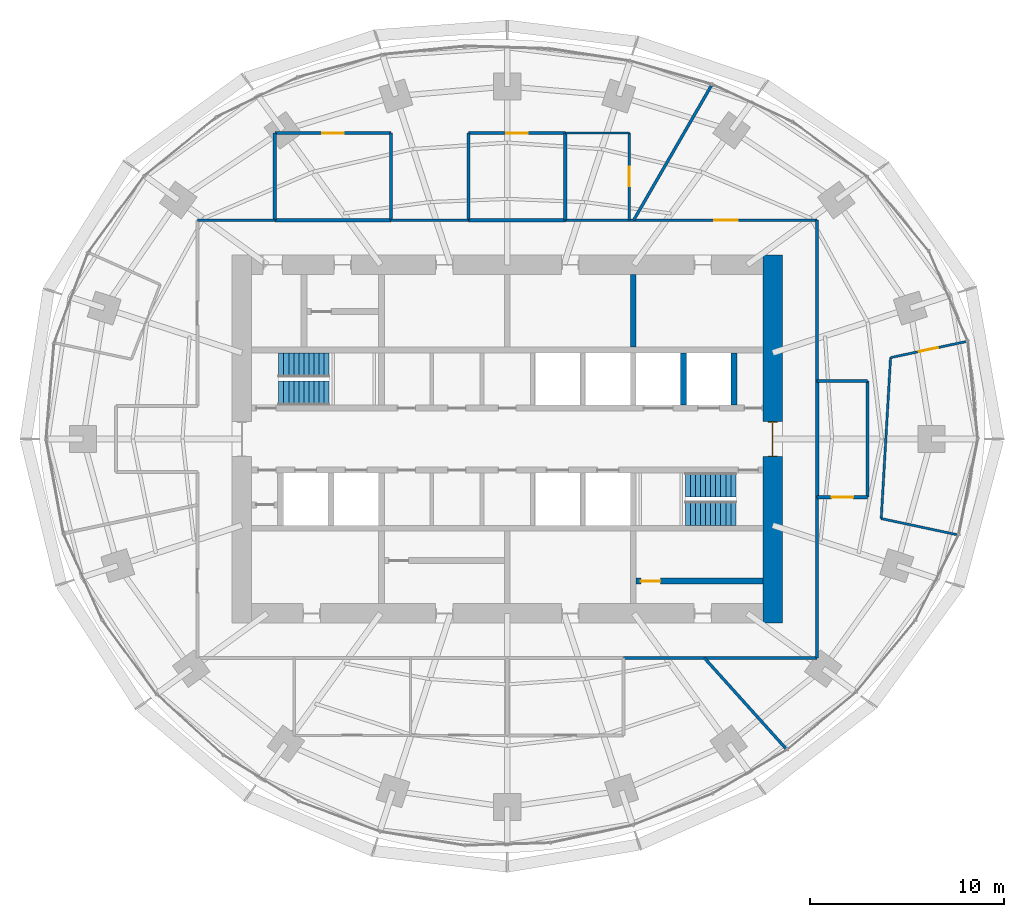
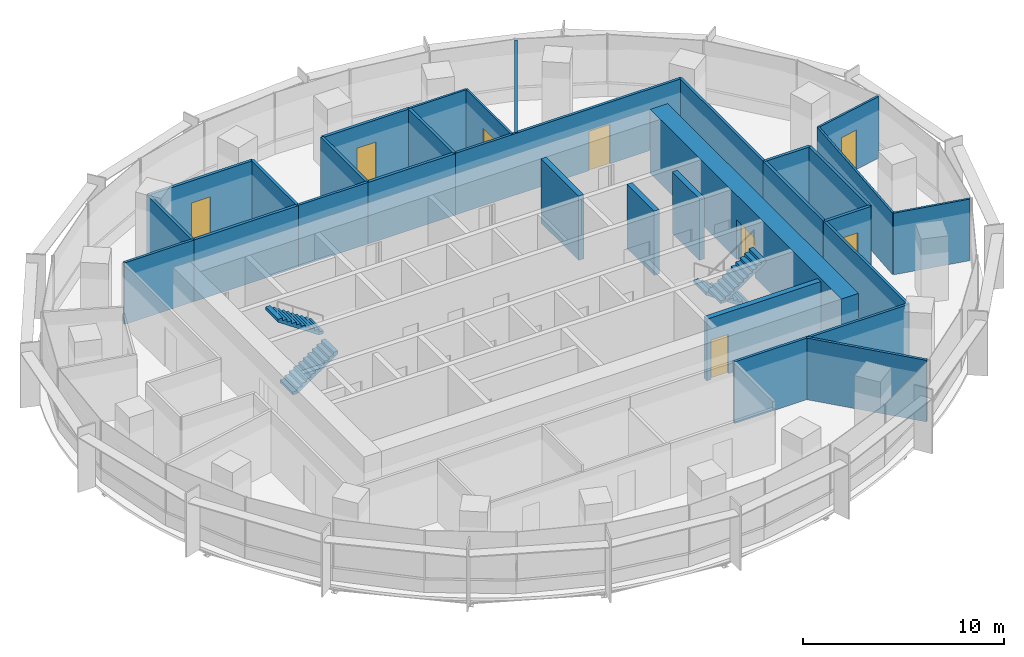
# One storey, part 12 of 14: 30 walls, 8 doors, 4 stair flights, 8 openings, 2 elements without a shape of their own.
"""IFC4 building model written with IfcOpenShell, lengths in metres."""

from ifc_helpers import new_model, si_unit, direction, frame, frame_2d, origin, place, context, subcontext, project, spatial, polyline, rectangle, outline, extrude, material, layer, layer_set, type_object, element, fill, aggregate, save


model = new_model("IFC4")

# Units and contexts
model_context = context("Model", 3, precision=1e-05, world=origin(), true_north=direction((0.0, 1.0)))
body_context = subcontext(model_context, "Body", "Model", "MODEL_VIEW")
ifc_project = project(units=[si_unit("LENGTHUNIT", "METRE"), si_unit("AREAUNIT", "SQUARE_METRE"), si_unit("VOLUMEUNIT", "CUBIC_METRE"), si_unit("PLANEANGLEUNIT", "RADIAN"), si_unit("MASSUNIT", "GRAM", prefix="KILO")], contexts=[model_context])

# Site, building, storey
site_placement = place(None, origin())
site = spatial("IfcSite", under=ifc_project, at=site_placement, CompositionType="ELEMENT")
building_placement = place(site_placement, origin())
building = spatial("IfcBuilding", under=site, at=building_placement, Name="Marramba Exchange Tower", CompositionType="ELEMENT")
storey_placement = place(building_placement, frame((0.0, 0.0, 195.5)))
storey = spatial("IfcBuildingStorey", under=building, at=storey_placement, Name="L47", CompositionType="ELEMENT", Elevation=195.5)

# Wall, opening, door
ifc_material_1 = material(Name="Plasterboard on staggered double steel studs, acoustic insulation", Category="steel")
ifc_layer_1 = layer(ifc_material_1, 0.169921875)
ifc_layer_set_1 = layer_set([ifc_layer_1], Name="Acoustic partition 170")
wall_type_1 = type_object("IfcWallType", Name="Acoustic partition 170", PredefinedType="PARTITIONING", material=ifc_layer_set_1)
wall_1_placement = place(storey_placement, frame((16.0, -3.0, 0.0), z_axis=(0.0, 0.0, 1.0), x_axis=(1.0, 0.0, 0.0)))
wall_1 = element("IfcWall", 1, at=wall_1_placement, inside=storey, type_object=wall_type_1, Name="Acoustic partition L47 16", PredefinedType="PARTITIONING", context=body_context, shape_type="SweptSolid", body=[
    extrude(rectangle(XDim=2.60009765625, YDim=0.169921875, at=frame_2d((1.300048828125, 0.0))), origin(), (0.0, 0.0, 1.0), 3.739990234375),
])
opening_1_placement = place(wall_1_placement, frame((0.75, 0.0, 0.0)))
opening_1 = element("IfcOpeningElement", 2, at=opening_1_placement, cuts=wall_1, Name="Opening D15", PredefinedType="OPENING", context=body_context, shape_type="SweptSolid", body=[
    extrude(rectangle(XDim=1.10009765625, YDim=2.39990234375, at=frame_2d((0.550048828125, 1.199951171875))), frame((0.0, 0.094970703125, 0.0), z_axis=(0.0, -1.0, 0.0), x_axis=(1.0, 0.0, 0.0)), (0.0, 0.0, 1.0), 0.18994140625),
])
ifc_material_2 = material(Name="Timber door", Category="wood")
door_type_1 = type_object("IfcDoorType", Name="Glazed meeting room door 1100x2400", OperationType="SINGLE_SWING_LEFT", PredefinedType="DOOR", material=ifc_material_2)
door_1_placement = place(opening_1_placement, origin())
door_1 = element("IfcDoor", 3, at=door_1_placement, inside=storey, type_object=door_type_1, Name="D15 Meeting Room 1 L47", OperationType="SINGLE_SWING_RIGHT", OverallHeight=2.39990234375, OverallWidth=1.10009765625, PredefinedType="DOOR", context=body_context, shape_type="SweptSolid", body=[
    extrude(rectangle(XDim=1.10009765625, YDim=2.39990234375, at=frame_2d((0.550048828125, 1.199951171875))), frame((0.0, 0.02490234375, 0.0), z_axis=(0.0, -1.0, 0.0), x_axis=(1.0, 0.0, 0.0)), (0.0, 0.0, 1.0), 0.050048828125),
])
fill(opening_1, door_1)

# Walls
for number, where, z_axis, x_axis, name in (
    (4, (16.0, 3.0, 0.0), (0.0, 0.0, 1.0), (0.0, -1.0, 0.0), "Acoustic partition L47 17"),
    (5, (18.60009765625, -3.0, 0.0), (0.0, 0.0, 1.0), (0.0, 1.0, 0.0), "Acoustic partition L47 18"),
):
    element("IfcWall", number, at=place(storey_placement, frame(where, z_axis=z_axis, x_axis=x_axis)), inside=storey, type_object=wall_type_1, Name=name, PredefinedType="PARTITIONING", context=body_context, shape_type="SweptSolid", body=[
        extrude(rectangle(XDim=6.0, YDim=0.169921875, at=frame_2d((3.0, 0.0))), origin(), (0.0, 0.0, 1.0), 3.739990234375),
    ])
wall_2_placement = place(storey_placement, frame((18.60009765625, 3.0, 0.0), z_axis=(0.0, 0.0, 1.0), x_axis=(-1.0, 0.0, 0.0)))
element("IfcWall", 6, at=wall_2_placement, inside=storey, type_object=wall_type_1, Name="Acoustic partition L47 20", PredefinedType="PARTITIONING", context=body_context, shape_type="SweptSolid", body=[
    extrude(rectangle(XDim=2.60009765625, YDim=0.169921875, at=frame_2d((1.300048828125, 0.0))), origin(), (0.0, 0.0, 1.0), 3.739990234375),
])
wall_3_placement = place(storey_placement, frame((3.0, 15.800048828125, 0.0), z_axis=(0.0, 0.0, 1.0), x_axis=(0.0, -1.0, 0.0)))
element("IfcWall", 7, at=wall_3_placement, inside=storey, type_object=wall_type_1, Name="Acoustic partition L47 27", PredefinedType="PARTITIONING", context=body_context, shape_type="SweptSolid", body=[
    extrude(rectangle(XDim=4.5, YDim=0.169921875, at=frame_2d((2.25, 0.0))), origin(), (0.0, 0.0, 1.0), 3.739990234375),
])
wall_4_placement = place(storey_placement, frame((-2.0, 11.300048828125, 0.0), z_axis=(0.0, 0.0, 1.0), x_axis=(1.0, 0.0, 0.0)))
element("IfcWall", 8, at=wall_4_placement, inside=storey, type_object=wall_type_1, Name="Acoustic partition L47 28", PredefinedType="PARTITIONING", context=body_context, shape_type="SweptSolid", body=[
    extrude(rectangle(XDim=5.0, YDim=0.169921875, at=frame_2d((2.5, 0.0))), origin(), (0.0, 0.0, 1.0), 3.739990234375),
])

# Wall, opening, door
wall_5_placement = place(storey_placement, frame((3.0, 15.800048828125, 0.0), z_axis=(0.0, 0.0, 1.0), x_axis=(-1.0, 0.0, 0.0)))
wall_5 = element("IfcWall", 9, at=wall_5_placement, inside=storey, type_object=wall_type_1, Name="Acoustic partition L47 29", PredefinedType="PARTITIONING", context=body_context, shape_type="SweptSolid", body=[
    extrude(rectangle(XDim=5.0, YDim=0.169921875, at=frame_2d((2.5, 0.0))), origin(), (0.0, 0.0, 1.0), 3.739990234375),
])
opening_2_placement = place(wall_5_placement, frame((1.949951171875, 0.0, 0.0)))
opening_2 = element("IfcOpeningElement", 10, at=opening_2_placement, cuts=wall_5, Name="Opening D15", PredefinedType="OPENING", context=body_context, shape_type="SweptSolid", body=[
    extrude(rectangle(XDim=1.10009765625, YDim=2.39990234375, at=frame_2d((0.550048828125, 1.199951171875))), frame((0.0, 0.094970703125, 0.0), z_axis=(0.0, -1.0, 0.0), x_axis=(1.0, 0.0, 0.0)), (0.0, 0.0, 1.0), 0.18994140625),
])
door_2_placement = place(opening_2_placement, origin())
door_2 = element("IfcDoor", 11, at=door_2_placement, inside=storey, type_object=door_type_1, Name="D15 Meeting Room 2 L47", OperationType="SINGLE_SWING_RIGHT", OverallHeight=2.39990234375, OverallWidth=1.10009765625, PredefinedType="DOOR", context=body_context, shape_type="SweptSolid", body=[
    extrude(rectangle(XDim=1.10009765625, YDim=2.39990234375, at=frame_2d((0.550048828125, 1.199951171875))), frame((0.0, 0.02490234375, 0.0), z_axis=(0.0, -1.0, 0.0), x_axis=(1.0, 0.0, 0.0)), (0.0, 0.0, 1.0), 0.050048828125),
])
fill(opening_2, door_2)

# Walls
for number, where, z_axis, x_axis, name in (
    (12, (-2.0, 15.800048828125, 0.0), (0.0, 0.0, 1.0), (0.0, -1.0, 0.0), "Acoustic partition L47 30"),
    (13, (-6.0, 11.300048828125, 0.0), (0.0, 0.0, 1.0), (0.0, 1.0, 0.0), "Acoustic partition L47 32"),
):
    element("IfcWall", number, at=place(storey_placement, frame(where, z_axis=z_axis, x_axis=x_axis)), inside=storey, type_object=wall_type_1, Name=name, PredefinedType="PARTITIONING", context=body_context, shape_type="SweptSolid", body=[
        extrude(rectangle(XDim=4.5, YDim=0.169921875, at=frame_2d((2.25, 0.0))), origin(), (0.0, 0.0, 1.0), 3.739990234375),
    ])

# Wall, opening, door
wall_6_placement = place(storey_placement, frame((-6.0, 15.800048828125, 0.0), z_axis=(0.0, 0.0, 1.0), x_axis=(-1.0, 0.0, 0.0)))
wall_6 = element("IfcWall", 14, at=wall_6_placement, inside=storey, type_object=wall_type_1, Name="Acoustic partition L47 33", PredefinedType="PARTITIONING", context=body_context, shape_type="SweptSolid", body=[
    extrude(rectangle(XDim=6.0, YDim=0.169921875, at=frame_2d((3.0, 0.0))), origin(), (0.0, 0.0, 1.0), 3.739990234375),
])
opening_3_placement = place(wall_6_placement, frame((2.449951171875, 0.0, 0.0)))
opening_3 = element("IfcOpeningElement", 15, at=opening_3_placement, cuts=wall_6, Name="Opening D15", PredefinedType="OPENING", context=body_context, shape_type="SweptSolid", body=[
    extrude(rectangle(XDim=1.10009765625, YDim=2.39990234375, at=frame_2d((0.550048828125, 1.199951171875))), frame((0.0, 0.094970703125, 0.0), z_axis=(0.0, -1.0, 0.0), x_axis=(1.0, 0.0, 0.0)), (0.0, 0.0, 1.0), 0.18994140625),
])
door_3_placement = place(opening_3_placement, origin())
door_3 = element("IfcDoor", 16, at=door_3_placement, inside=storey, type_object=door_type_1, Name="D15 Meeting Room 3 L47", OperationType="SINGLE_SWING_RIGHT", OverallHeight=2.39990234375, OverallWidth=1.10009765625, PredefinedType="DOOR", context=body_context, shape_type="SweptSolid", body=[
    extrude(rectangle(XDim=1.10009765625, YDim=2.39990234375, at=frame_2d((0.550048828125, 1.199951171875))), frame((0.0, 0.02490234375, 0.0), z_axis=(0.0, -1.0, 0.0), x_axis=(1.0, 0.0, 0.0)), (0.0, 0.0, 1.0), 0.050048828125),
])
fill(opening_3, door_3)

# Walls
wall_7_placement = place(storey_placement, frame((-12.0, 11.300048828125, 0.0), z_axis=(0.0, 0.0, 1.0), x_axis=(1.0, 0.0, 0.0)))
element("IfcWall", 17, at=wall_7_placement, inside=storey, type_object=wall_type_1, Name="Acoustic partition L47 34", PredefinedType="PARTITIONING", context=body_context, shape_type="SweptSolid", body=[
    extrude(rectangle(XDim=6.0, YDim=0.169921875, at=frame_2d((3.0, 0.0))), origin(), (0.0, 0.0, 1.0), 3.739990234375),
])
wall_8_placement = place(storey_placement, frame((-12.0, 15.800048828125, 0.0), z_axis=(0.0, 0.0, 1.0), x_axis=(0.0, -1.0, 0.0)))
element("IfcWall", 18, at=wall_8_placement, inside=storey, type_object=wall_type_1, Name="Acoustic partition L47 35", PredefinedType="PARTITIONING", context=body_context, shape_type="SweptSolid", body=[
    extrude(rectangle(XDim=4.5, YDim=0.169921875, at=frame_2d((2.25, 0.0))), origin(), (0.0, 0.0, 1.0), 3.739990234375),
])

# Wall, opening, door
ifc_material_3 = material(Name="Concrete N50", Category="concrete")
ifc_layer_2 = layer(ifc_material_3, 1.0)
ifc_layer_set_2 = layer_set([ifc_layer_2], Name="Core wall 1000")
wall_type_2 = type_object("IfcWallType", Name="Core wall 1000", PredefinedType="SHEAR", material=ifc_layer_set_2)
wall_9_placement = place(storey_placement, frame((13.699951171875, -9.5, 0.0), z_axis=(0.0, 0.0, 1.0), x_axis=(0.0, 1.0, 0.0)))
wall_9 = element("IfcWall", 19, at=wall_9_placement, inside=storey, type_object=wall_type_2, Name="Core wall E L47", PredefinedType="SHEAR", context=body_context, shape_type="SweptSolid", body=[
    extrude(rectangle(XDim=19.0, YDim=1.0, at=frame_2d((9.5, 0.0))), origin(), (0.0, 0.0, 1.0), 3.89990234375),
])
opening_4_placement = place(wall_9_placement, frame((8.60009765625, 0.0, 0.0)))
opening_4 = element("IfcOpeningElement", 20, at=opening_4_placement, cuts=wall_9, Name="Opening D1", PredefinedType="OPENING", context=body_context, shape_type="SweptSolid", body=[
    extrude(rectangle(XDim=1.800048828125, YDim=2.39990234375, at=frame_2d((0.89990234375, 1.199951171875))), frame((0.0, 0.510009765625, 0.0), z_axis=(0.0, -1.0, 0.0), x_axis=(1.0, 0.0, 0.0)), (0.0, 0.0, 1.0), 1.02001953125),
])
ifc_material_4 = material(Name="Steel-framed door", Category="steel")
door_type_2 = type_object("IfcDoorType", Name="Lobby exit door 1800x2400", OperationType="DOUBLE_DOOR_SINGLE_SWING", PredefinedType="DOOR", material=ifc_material_4)
door_4_placement = place(opening_4_placement, origin())
door_4 = element("IfcDoor", 21, at=door_4_placement, inside=storey, type_object=door_type_2, Name="D1 lobby exit east L47", OperationType="DOUBLE_DOOR_SINGLE_SWING", OverallHeight=2.39990234375, OverallWidth=1.800048828125, PredefinedType="DOOR", context=body_context, shape_type="SweptSolid", body=[
    extrude(rectangle(XDim=1.719970703125, YDim=2.35986328125, at=frame_2d((0.89990234375, 1.179931640625))), frame((0.0, 0.02490234375, 0.0), z_axis=(0.0, -1.0, 0.0), x_axis=(1.0, 0.0, 0.0)), (0.0, 0.0, 1.0), 0.050048828125),
    extrude(rectangle(XDim=0.04, YDim=2.39990234375, at=frame_2d((0.02001953125, 1.199951171875))), frame((0.0, 0.25, 0.0), z_axis=(0.0, -1.0, 0.0), x_axis=(1.0, 0.0, 0.0)), (0.0, 0.0, 1.0), 0.5),
    extrude(rectangle(XDim=0.04, YDim=2.39990234375, at=frame_2d((1.780029296875, 1.199951171875))), frame((0.0, 0.25, 0.0), z_axis=(0.0, -1.0, 0.0), x_axis=(1.0, 0.0, 0.0)), (0.0, 0.0, 1.0), 0.5),
    extrude(rectangle(XDim=1.719970703125, YDim=0.04, at=frame_2d((0.89990234375, 2.3798828125))), frame((0.0, 0.25, 0.0), z_axis=(0.0, -1.0, 0.0), x_axis=(1.0, 0.0, 0.0)), (0.0, 0.0, 1.0), 0.5),
])
fill(opening_4, door_4)

# Walls
ifc_layer_3 = layer(ifc_material_3, 0.300048828125)
ifc_layer_set_3 = layer_set([ifc_layer_3], Name="Core wall 300")
wall_type_3 = type_object("IfcWallType", Name="Core wall 300", PredefinedType="SHEAR", material=ifc_layer_set_3)
wall_10_placement = place(storey_placement, frame((6.5, 4.75, 0.0), z_axis=(0.0, 0.0, 1.0), x_axis=(0.0, 1.0, 0.0)))
element("IfcWall", 22, at=wall_10_placement, inside=storey, type_object=wall_type_3, Name="Core wall X1Nb L47", PredefinedType="SHEAR", context=body_context, shape_type="SweptSolid", body=[
    extrude(rectangle(XDim=3.75, YDim=0.300048828125, at=frame_2d((1.875, 0.0))), origin(), (0.0, 0.0, 1.0), 3.89990234375),
])
wall_11_placement = place(storey_placement, frame((9.10009765625, 1.75, 0.0), z_axis=(0.0, 0.0, 1.0), x_axis=(0.0, 1.0, 0.0)))
element("IfcWall", 23, at=wall_11_placement, inside=storey, type_object=wall_type_3, Name="Core wall ED L47", PredefinedType="SHEAR", context=body_context, shape_type="SweptSolid", body=[
    extrude(rectangle(XDim=2.699951171875, YDim=0.300048828125, at=frame_2d((1.35009765625, 0.0))), origin(), (0.0, 0.0, 1.0), 3.89990234375),
])
ifc_material_5 = material(Name="Core-filled concrete blockwork", Category="masonry")
ifc_layer_4 = layer(ifc_material_5, 0.300048828125)
ifc_layer_set_4 = layer_set([ifc_layer_4], Name="Lift shaft wall 300")
wall_type_4 = type_object("IfcWallType", Name="Lift shaft wall 300", PredefinedType="SOLIDWALL", material=ifc_layer_set_4)
wall_12_placement = place(storey_placement, frame((11.699951171875, 1.75, 0.0), z_axis=(0.0, 0.0, 1.0), x_axis=(0.0, 1.0, 0.0)))
element("IfcWall", 24, at=wall_12_placement, inside=storey, type_object=wall_type_4, Name="Lift shaft wall E1 L47", PredefinedType="SOLIDWALL", context=body_context, shape_type="SweptSolid", body=[
    extrude(rectangle(XDim=2.699951171875, YDim=0.300048828125, at=frame_2d((1.35009765625, 0.0))), origin(), (0.0, 0.0, 1.0), 3.739990234375),
])
ifc_material_6 = material(Name="Plasterboard on steel studs", Category="steel")
ifc_layer_5 = layer(ifc_material_6, 0.1201171875)
ifc_layer_set_5 = layer_set([ifc_layer_5], Name="Partition 120")
wall_type_5 = type_object("IfcWallType", Name="Partition 120", PredefinedType="PARTITIONING", material=ifc_layer_set_5)
wall_13_placement = place(storey_placement, frame((19.3056640625, -4.103515625, 0.0), z_axis=(0.0, 0.0, 1.0), x_axis=(0.978137903693, -0.207957306576, 0.0)))
element("IfcWall", 25, at=wall_13_placement, inside=storey, type_object=wall_type_5, Name="Partition L47 15", PredefinedType="PARTITIONING", context=body_context, shape_type="SweptSolid", body=[
    extrude(rectangle(XDim=3.999755859375, YDim=0.1201171875, at=frame_2d((2.0, 0.0))), origin(), (0.0, 0.0, 1.0), 3.739990234375),
])
wall_14_placement = place(storey_placement, frame((19.787841796875, 4.2060546875, 0.0), z_axis=(0.0, 0.0, 1.0), x_axis=(-0.0579293499, -0.998320685161, 0.0)))
element("IfcWall", 26, at=wall_14_placement, inside=storey, type_object=wall_type_5, Name="Partition L47 19", PredefinedType="PARTITIONING", context=body_context, shape_type="SweptSolid", body=[
    extrude(rectangle(XDim=8.323486328125, YDim=0.1201171875, at=frame_2d((4.16162109375, 0.0))), origin(), (0.0, 0.0, 1.0), 3.739990234375),
])

# Wall, opening, door
wall_15_placement = place(storey_placement, frame((23.700439453125, 5.03759765625, 0.0), z_axis=(0.0, 0.0, 1.0), x_axis=(-0.978152955943, -0.207886494942, 0.0)))
wall_15 = element("IfcWall", 27, at=wall_15_placement, inside=storey, type_object=wall_type_5, Name="Partition L47 21", PredefinedType="PARTITIONING", context=body_context, shape_type="SweptSolid", body=[
    extrude(rectangle(XDim=4.0, YDim=0.1201171875, at=frame_2d((2.0, 0.0))), origin(), (0.0, 0.0, 1.0), 3.739990234375),
])
opening_5_placement = place(wall_15_placement, frame((1.5, 0.0, 0.0)))
opening_5 = element("IfcOpeningElement", 28, at=opening_5_placement, cuts=wall_15, Name="Opening D9", PredefinedType="OPENING", context=body_context, shape_type="SweptSolid", body=[
    extrude(rectangle(XDim=1.0, YDim=2.39990234375, at=frame_2d((0.5, 1.199951171875))), frame((0.0, 0.070068359375, 0.0), z_axis=(0.0, -1.0, 0.0), x_axis=(1.0, 0.0, 0.0)), (0.0, 0.0, 1.0), 0.14013671875),
])
door_type_3 = type_object("IfcDoorType", Name="Room door 1000x2400", OperationType="SINGLE_SWING_LEFT", PredefinedType="DOOR", material=ifc_material_2)
door_5_placement = place(opening_5_placement, origin())
door_5 = element("IfcDoor", 29, at=door_5_placement, inside=storey, type_object=door_type_3, Name="D9 Office L47", OperationType="SINGLE_SWING_LEFT", OverallHeight=2.39990234375, OverallWidth=1.0, PredefinedType="DOOR", context=body_context, shape_type="SweptSolid", body=[
    extrude(rectangle(XDim=1.0, YDim=2.39990234375, at=frame_2d((0.5, 1.199951171875))), frame((0.0, 0.02490234375, 0.0), z_axis=(0.0, -1.0, 0.0), x_axis=(1.0, 0.0, 0.0)), (0.0, 0.0, 1.0), 0.050048828125),
])
fill(opening_5, door_5)

wall_16_placement = place(storey_placement, frame((6.300048828125, 11.300048828125, 0.0), z_axis=(0.0, 0.0, 1.0), x_axis=(0.0, 1.0, 0.0)))
wall_16 = element("IfcWall", 30, at=wall_16_placement, inside=storey, type_object=wall_type_5, Name="Partition L47 25", PredefinedType="PARTITIONING", context=body_context, shape_type="SweptSolid", body=[
    extrude(rectangle(XDim=4.5, YDim=0.1201171875, at=frame_2d((2.25, 0.0))), origin(), (0.0, 0.0, 1.0), 3.739990234375),
])
opening_6_placement = place(wall_16_placement, frame((1.75, 0.0, 0.0)))
opening_6 = element("IfcOpeningElement", 31, at=opening_6_placement, cuts=wall_16, Name="Opening D9", PredefinedType="OPENING", context=body_context, shape_type="SweptSolid", body=[
    extrude(rectangle(XDim=1.0, YDim=2.39990234375, at=frame_2d((0.5, 1.199951171875))), frame((0.0, 0.070068359375, 0.0), z_axis=(0.0, -1.0, 0.0), x_axis=(1.0, 0.0, 0.0)), (0.0, 0.0, 1.0), 0.14013671875),
])
door_6_placement = place(opening_6_placement, origin())
door_6 = element("IfcDoor", 32, at=door_6_placement, inside=storey, type_object=door_type_3, Name="D9 Pantry 1 L47", OperationType="SINGLE_SWING_RIGHT", OverallHeight=2.39990234375, OverallWidth=1.0, PredefinedType="DOOR", context=body_context, shape_type="SweptSolid", body=[
    extrude(rectangle(XDim=1.0, YDim=2.39990234375, at=frame_2d((0.5, 1.199951171875))), frame((0.0, 0.02490234375, 0.0), z_axis=(0.0, -1.0, 0.0), x_axis=(1.0, 0.0, 0.0)), (0.0, 0.0, 1.0), 0.050048828125),
])
fill(opening_6, door_6)

# Wall
wall_17_placement = place(storey_placement, frame((6.300048828125, 15.800048828125, 0.0), z_axis=(0.0, 0.0, 1.0), x_axis=(-1.0, 0.0, 0.0)))
element("IfcWall", 33, at=wall_17_placement, inside=storey, type_object=wall_type_5, Name="Partition L47 26", PredefinedType="PARTITIONING", context=body_context, shape_type="SweptSolid", body=[
    extrude(rectangle(XDim=3.300048828125, YDim=0.1201171875, at=frame_2d((1.64990234375, 0.0))), origin(), (0.0, 0.0, 1.0), 3.739990234375),
])

# Wall, opening, door
ifc_material_7 = material(Name="Plasterboard on steel studs, insulated, unrated", Category="steel")
ifc_layer_6 = layer(ifc_material_7, 0.300048828125)
ifc_layer_set_6 = layer_set([ifc_layer_6], Name="Store partition 300")
wall_type_6 = type_object("IfcWallType", Name="Store partition 300", PredefinedType="PARTITIONING", material=ifc_layer_set_6)
wall_18_placement = place(storey_placement, frame((6.64990234375, -7.327880859375, 0.0), z_axis=(0.0, 0.0, 1.0), x_axis=(1.0, 0.0, 0.0)))
wall_18 = element("IfcWall", 34, at=wall_18_placement, inside=storey, type_object=wall_type_6, Name="Store partition L47 cstore", PredefinedType="PARTITIONING", context=body_context, shape_type="SweptSolid", body=[
    extrude(rectangle(XDim=6.550048828125, YDim=0.300048828125, at=frame_2d((3.27490234375, 0.0))), origin(), (0.0, 0.0, 1.0), 3.739990234375),
])
opening_7_placement = place(wall_18_placement, frame((0.25, 0.0, 0.0)))
opening_7 = element("IfcOpeningElement", 35, at=opening_7_placement, cuts=wall_18, Name="Opening D9", PredefinedType="OPENING", context=body_context, shape_type="SweptSolid", body=[
    extrude(rectangle(XDim=1.0, YDim=2.39990234375, at=frame_2d((0.5, 1.199951171875))), frame((0.0, 0.159912109375, 0.0), z_axis=(0.0, -1.0, 0.0), x_axis=(1.0, 0.0, 0.0)), (0.0, 0.0, 1.0), 0.320068359375),
])
door_7_placement = place(opening_7_placement, frame((1.0, 0.0, 0.0), z_axis=(0.0, 0.0, 1.0), x_axis=(-1.0, 0.0, 0.0)))
door_7 = element("IfcDoor", 36, at=door_7_placement, inside=storey, type_object=door_type_3, Name="D9 general store L47", OperationType="SINGLE_SWING_RIGHT", OverallHeight=2.39990234375, OverallWidth=1.0, PredefinedType="DOOR", context=body_context, shape_type="SweptSolid", body=[
    extrude(rectangle(XDim=1.0, YDim=2.39990234375, at=frame_2d((0.5, 1.199951171875))), frame((0.0, 0.025146484375, 0.0), z_axis=(0.0, -1.0, 0.0), x_axis=(1.0, 0.0, 0.0)), (0.0, 0.0, 1.0), 0.050048828125),
])
fill(opening_7, door_7)

# Walls
ifc_material_8 = material(Name="Fire-rated plasterboard on steel studs, acoustic insulation", Category="steel")
ifc_layer_7 = layer(ifc_material_8, 0.14990234375)
ifc_layer_set_7 = layer_set([ifc_layer_7], Name="Tenancy wall 150")
wall_type_7 = type_object("IfcWallType", Name="Tenancy wall 150", PredefinedType="PARTITIONING", material=ifc_layer_set_7)
wall_19_placement = place(storey_placement, frame((14.38525390625, -15.976318359375, 0.0), z_axis=(0.0, 0.0, 1.0), x_axis=(-0.669144767844, 0.743132074174, 0.0)))
element("IfcWall", 37, at=wall_19_placement, inside=storey, type_object=wall_type_7, Name="Tenancy wall L47 12", PredefinedType="PARTITIONING", context=body_context, shape_type="SweptSolid", body=[
    extrude(rectangle(XDim=6.292724609375, YDim=0.14990234375, at=frame_2d((3.146484375, 0.0))), origin(), (0.0, 0.0, 1.0), 3.739990234375),
])
wall_20_placement = place(storey_placement, frame((6.0, -11.300048828125, 0.0), z_axis=(0.0, 0.0, 1.0), x_axis=(1.0, 0.0, 0.0)))
element("IfcWall", 38, at=wall_20_placement, inside=storey, type_object=wall_type_7, Name="Tenancy wall L47 13", PredefinedType="PARTITIONING", context=body_context, shape_type="SweptSolid", body=[
    extrude(rectangle(XDim=10.0, YDim=0.14990234375, at=frame_2d((5.0, 0.0))), origin(), (0.0, 0.0, 1.0), 3.739990234375),
])
for number, where, z_axis, x_axis, name in (
    (39, (16.0, -11.300048828125, 0.0), (0.0, 0.0, 1.0), (0.0, 1.0, 0.0), "Tenancy wall L47 14"),
    (40, (16.0, 3.0, 0.0), (0.0, 0.0, 1.0), (0.0, 1.0, 0.0), "Tenancy wall L47 22"),
):
    element("IfcWall", number, at=place(storey_placement, frame(where, z_axis=z_axis, x_axis=x_axis)), inside=storey, type_object=wall_type_7, Name=name, PredefinedType="PARTITIONING", context=body_context, shape_type="SweptSolid", body=[
        extrude(rectangle(XDim=8.300048828125, YDim=0.14990234375, at=frame_2d((4.14990234375, 0.0))), origin(), (0.0, 0.0, 1.0), 3.739990234375),
    ])

# Wall, opening, door
wall_21_placement = place(storey_placement, frame((16.0, 11.300048828125, 0.0), z_axis=(0.0, 0.0, 1.0), x_axis=(-1.0, 0.0, 0.0)))
wall_21 = element("IfcWall", 41, at=wall_21_placement, inside=storey, type_object=wall_type_7, Name="Tenancy wall L47 23", PredefinedType="PARTITIONING", context=body_context, shape_type="SweptSolid", body=[
    extrude(rectangle(XDim=13.0, YDim=0.14990234375, at=frame_2d((6.5, 0.0))), origin(), (0.0, 0.0, 1.0), 3.739990234375),
])
opening_8_placement = place(wall_21_placement, frame((4.113037109375, 0.0, 0.0)))
opening_8 = element("IfcOpeningElement", 42, at=opening_8_placement, cuts=wall_21, Name="Opening D13", PredefinedType="OPENING", context=body_context, shape_type="SweptSolid", body=[
    extrude(rectangle(XDim=1.199951171875, YDim=2.39990234375, at=frame_2d((0.60009765625, 1.199951171875))), frame((0.0, 0.0849609375, 0.0), z_axis=(0.0, -1.0, 0.0), x_axis=(1.0, 0.0, 0.0)), (0.0, 0.0, 1.0), 0.169921875),
])
door_type_4 = type_object("IfcDoorType", Name="Tenancy entry door 1200x2400", OperationType="SINGLE_SWING_LEFT", PredefinedType="DOOR", material=ifc_material_4)
door_8_placement = place(opening_8_placement, origin())
door_8 = element("IfcDoor", 43, at=door_8_placement, inside=storey, type_object=door_type_4, Name="D13 Office 1 L47", OperationType="SINGLE_SWING_LEFT", OverallHeight=2.39990234375, OverallWidth=1.199951171875, PredefinedType="DOOR", context=body_context, shape_type="SweptSolid", body=[
    extrude(rectangle(XDim=1.199951171875, YDim=2.39990234375, at=frame_2d((0.60009765625, 1.199951171875))), frame((0.0, 0.02490234375, 0.0), z_axis=(0.0, -1.0, 0.0), x_axis=(1.0, 0.0, 0.0)), (0.0, 0.0, 1.0), 0.050048828125),
])
fill(opening_8, door_8)

# Walls
wall_22_placement = place(storey_placement, frame((6.524169921875, 11.300048828125, 0.0), z_axis=(0.0, 0.0, 1.0), x_axis=(0.499985955615, 0.866033512162, 0.0)))
element("IfcWall", 44, at=wall_22_placement, inside=storey, type_object=wall_type_7, Name="Tenancy wall L47 24", PredefinedType="PARTITIONING", context=body_context, shape_type="SweptSolid", body=[
    extrude(rectangle(XDim=8.020263671875, YDim=0.14990234375, at=frame_2d((4.01025390625, 0.0))), origin(), (0.0, 0.0, 1.0), 3.739990234375),
])
for number, where, z_axis, x_axis, name in (
    (45, (-2.0, 11.300048828125, 0.0), (0.0, 0.0, 1.0), (-1.0, 0.0, 0.0), "Tenancy wall L47 31"),
    (46, (-12.0, 11.300048828125, 0.0), (0.0, 0.0, 1.0), (-1.0, 0.0, 0.0), "Tenancy wall L47 36"),
):
    element("IfcWall", number, at=place(storey_placement, frame(where, z_axis=z_axis, x_axis=x_axis)), inside=storey, type_object=wall_type_7, Name=name, PredefinedType="PARTITIONING", context=body_context, shape_type="SweptSolid", body=[
        extrude(rectangle(XDim=4.0, YDim=0.14990234375, at=frame_2d((2.0, 0.0))), origin(), (0.0, 0.0, 1.0), 3.739990234375),
    ])

# Stair, stair flights
ifc_material_9 = material(Name="Concrete N40 (40 MPa)", Category="concrete")
stair_type_1 = type_object("IfcStairType", Name="Exit stair ST1 3900 x 1250", PredefinedType="HALF_TURN_STAIR", material=ifc_material_9)
stair_1_placement = place(storey_placement, origin())
stair_1 = element("IfcStair", 47, at=stair_1_placement, inside=storey, type_object=stair_type_1, Name="Exit stair ST1 L47", PredefinedType="HALF_TURN_STAIR")
stair_flight_type_1 = type_object("IfcStairFlightType", Name="ST1 stair flight 1773 riser 1250 wide", PredefinedType="STRAIGHT", material=ifc_material_9)
stair_flight_1_placement = place(storey_placement, frame((-11.800048828125, 2.375, 0.0), z_axis=(0.0, 0.0, 1.0), x_axis=(1.0, 0.0, 0.0)))
stair_flight_1 = element("IfcStairFlight", 48, at=stair_flight_1_placement, type_object=stair_flight_type_1, Name="ST1 flight 1", NumberOfRisers=11, NumberOfTreads=10, PredefinedType="STRAIGHT", RiserHeight=0.177272727, TreadLength=0.26, context=body_context, shape_type="SweptSolid", body=[
    extrude(outline(polyline([(0.0, 0.0), (0.0, 0.17724609375), (0.260009765625, 0.17724609375), (0.260009765625, 0.3544921875), (0.52001953125, 0.3544921875), (0.52001953125, 0.53173828125), (0.780029296875, 0.53173828125), (0.780029296875, 0.708984375), (1.0400390625, 0.708984375), (1.0400390625, 0.886474609375), (1.300048828125, 0.886474609375), (1.300048828125, 1.063720703125), (1.56005859375, 1.063720703125), (1.56005859375, 1.240966796875), (1.820068359375, 1.240966796875), (1.820068359375, 1.418212890625), (2.080078125, 1.418212890625), (2.080078125, 1.595458984375), (2.340087890625, 1.595458984375), (2.340087890625, 1.772705078125), (2.60009765625, 1.772705078125), (2.60009765625, 1.949951171875), (2.60009765625, 1.59130859375), (0.26611328125, 0.0), (0.0, 0.0)])), frame((0.0, 0.625, 0.0), z_axis=(0.0, -1.0, 0.0), x_axis=(1.0, 0.0, 0.0)), (0.0, 0.0, 1.0), 1.25),
])
stair_flight_2_placement = place(storey_placement, frame((-9.199951171875, 3.824951171875, 1.949951171875), z_axis=(0.0, 0.0, 1.0), x_axis=(-1.0, 0.0, 0.0)))
stair_flight_2 = element("IfcStairFlight", 49, at=stair_flight_2_placement, type_object=stair_flight_type_1, Name="ST1 flight 2", NumberOfRisers=11, NumberOfTreads=10, PredefinedType="STRAIGHT", RiserHeight=0.177272727, TreadLength=0.26, context=body_context, shape_type="SweptSolid", body=[
    extrude(outline(polyline([(0.0, 0.0), (0.0, 0.17724609375), (0.260009765625, 0.17724609375), (0.260009765625, 0.3544921875), (0.52001953125, 0.3544921875), (0.52001953125, 0.53173828125), (0.780029296875, 0.53173828125), (0.780029296875, 0.708984375), (1.0400390625, 0.708984375), (1.0400390625, 0.886474609375), (1.300048828125, 0.886474609375), (1.300048828125, 1.063720703125), (1.56005859375, 1.063720703125), (1.56005859375, 1.240966796875), (1.820068359375, 1.240966796875), (1.820068359375, 1.418212890625), (2.080078125, 1.418212890625), (2.080078125, 1.595458984375), (2.340087890625, 1.595458984375), (2.340087890625, 1.772705078125), (2.60009765625, 1.772705078125), (2.60009765625, 1.949951171875), (2.60009765625, 1.59130859375), (0.26611328125, 0.0), (0.0, 0.0)])), frame((0.0, 0.625, 0.0), z_axis=(0.0, -1.0, 0.0), x_axis=(1.0, 0.0, 0.0)), (0.0, 0.0, 1.0), 1.25),
])
aggregate(stair_1, [stair_flight_1, stair_flight_2])

stair_type_2 = type_object("IfcStairType", Name="Exit stair ST2 3900 x 1250", PredefinedType="HALF_TURN_STAIR", material=ifc_material_9)
stair_2_placement = place(storey_placement, origin())
stair_2 = element("IfcStair", 50, at=stair_2_placement, inside=storey, type_object=stair_type_2, Name="Exit stair ST2 L47", PredefinedType="HALF_TURN_STAIR")
stair_flight_type_2 = type_object("IfcStairFlightType", Name="ST2 stair flight 1773 riser 1250 wide", PredefinedType="STRAIGHT", material=ifc_material_9)
stair_flight_3_placement = place(storey_placement, frame((11.800048828125, -2.375, 0.0), z_axis=(0.0, 0.0, 1.0), x_axis=(-1.0, 0.0, 0.0)))
stair_flight_3 = element("IfcStairFlight", 51, at=stair_flight_3_placement, type_object=stair_flight_type_2, Name="ST2 flight 1", NumberOfRisers=11, NumberOfTreads=10, PredefinedType="STRAIGHT", RiserHeight=0.177272727, TreadLength=0.26, context=body_context, shape_type="SweptSolid", body=[
    extrude(outline(polyline([(0.0, 0.0), (0.0, 0.17724609375), (0.260009765625, 0.17724609375), (0.260009765625, 0.3544921875), (0.52001953125, 0.3544921875), (0.52001953125, 0.53173828125), (0.780029296875, 0.53173828125), (0.780029296875, 0.708984375), (1.0400390625, 0.708984375), (1.0400390625, 0.886474609375), (1.300048828125, 0.886474609375), (1.300048828125, 1.063720703125), (1.56005859375, 1.063720703125), (1.56005859375, 1.240966796875), (1.820068359375, 1.240966796875), (1.820068359375, 1.418212890625), (2.080078125, 1.418212890625), (2.080078125, 1.595458984375), (2.340087890625, 1.595458984375), (2.340087890625, 1.772705078125), (2.60009765625, 1.772705078125), (2.60009765625, 1.949951171875), (2.60009765625, 1.59130859375), (0.26611328125, 0.0), (0.0, 0.0)])), frame((0.0, 0.625, 0.0), z_axis=(0.0, -1.0, 0.0), x_axis=(1.0, 0.0, 0.0)), (0.0, 0.0, 1.0), 1.25),
])
stair_flight_4_placement = place(storey_placement, frame((9.199951171875, -3.824951171875, 1.949951171875), z_axis=(0.0, 0.0, 1.0), x_axis=(1.0, 0.0, 0.0)))
stair_flight_4 = element("IfcStairFlight", 52, at=stair_flight_4_placement, type_object=stair_flight_type_2, Name="ST2 flight 2", NumberOfRisers=11, NumberOfTreads=10, PredefinedType="STRAIGHT", RiserHeight=0.177272727, TreadLength=0.26, context=body_context, shape_type="SweptSolid", body=[
    extrude(outline(polyline([(0.0, 0.0), (0.0, 0.17724609375), (0.260009765625, 0.17724609375), (0.260009765625, 0.3544921875), (0.52001953125, 0.3544921875), (0.52001953125, 0.53173828125), (0.780029296875, 0.53173828125), (0.780029296875, 0.708984375), (1.0400390625, 0.708984375), (1.0400390625, 0.886474609375), (1.300048828125, 0.886474609375), (1.300048828125, 1.063720703125), (1.56005859375, 1.063720703125), (1.56005859375, 1.240966796875), (1.820068359375, 1.240966796875), (1.820068359375, 1.418212890625), (2.080078125, 1.418212890625), (2.080078125, 1.595458984375), (2.340087890625, 1.595458984375), (2.340087890625, 1.772705078125), (2.60009765625, 1.772705078125), (2.60009765625, 1.949951171875), (2.60009765625, 1.59130859375), (0.26611328125, 0.0), (0.0, 0.0)])), frame((0.0, 0.625, 0.0), z_axis=(0.0, -1.0, 0.0), x_axis=(1.0, 0.0, 0.0)), (0.0, 0.0, 1.0), 1.25),
])
aggregate(stair_2, [stair_flight_3, stair_flight_4])

save(model, "model.ifc")
